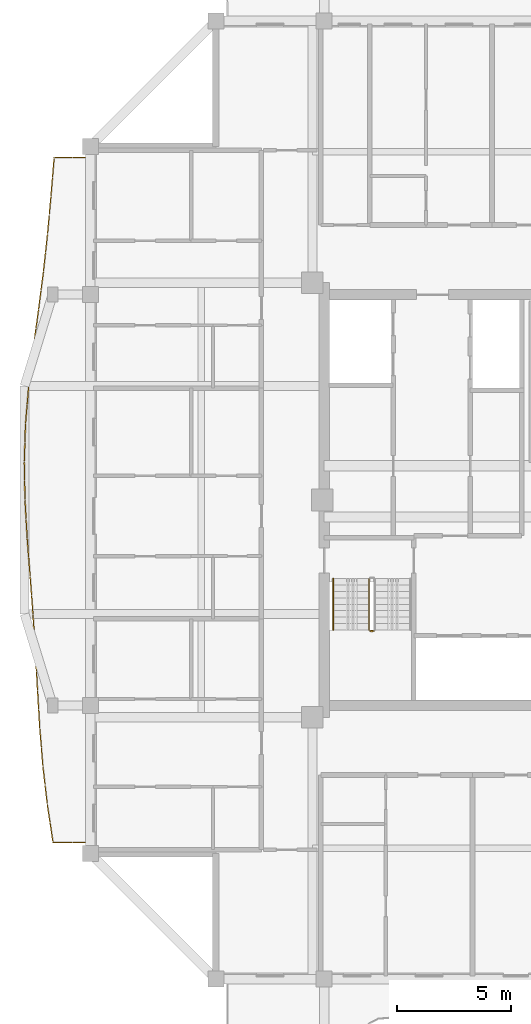
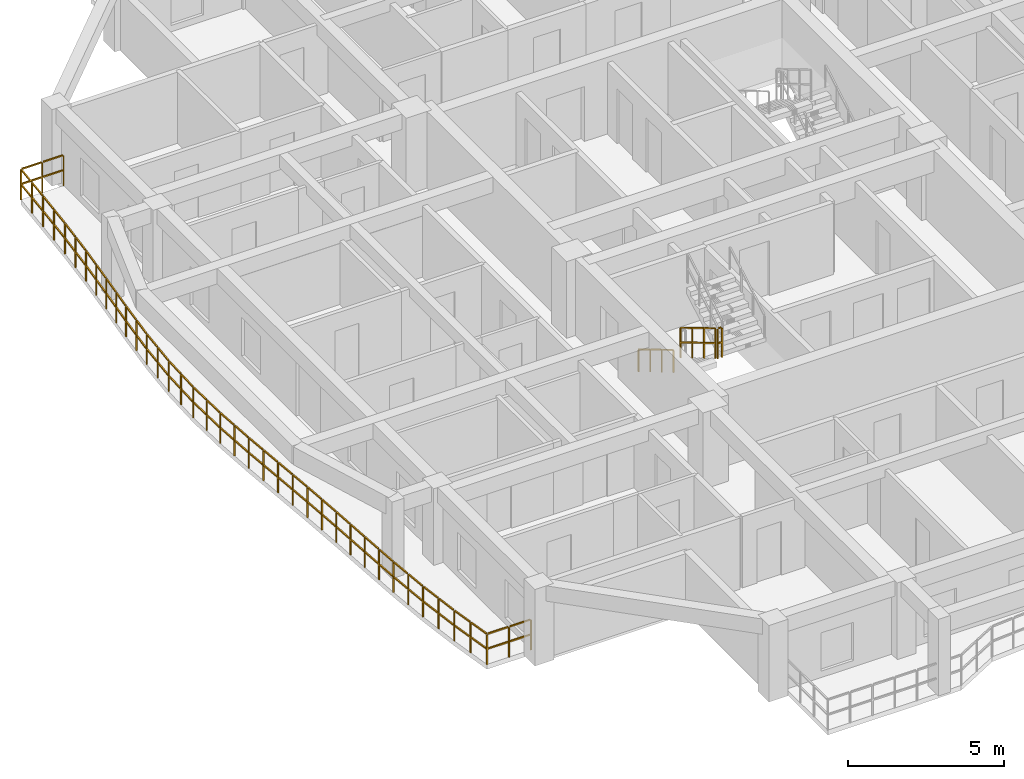
# One storey, part 10 of 13: 4 railings.
"""IFC4 building model written with IfcOpenShell, lengths in metres."""

from ifc_helpers import new_model, si_unit, direction, frame, origin, origin_2d, place, context, subcontext, project, spatial, rectangle, extrude, material, type_object, element, save


model = new_model("IFC4")

# Units and contexts
model_context = context("Model", 3, precision=1e-05, world=origin(), true_north=direction((0.0, 1.0)))
body_context = subcontext(model_context, "Body", "Model", "MODEL_VIEW")
ifc_project = project(units=[si_unit("LENGTHUNIT", "METRE"), si_unit("AREAUNIT", "SQUARE_METRE"), si_unit("VOLUMEUNIT", "CUBIC_METRE"), si_unit("PLANEANGLEUNIT", "RADIAN"), si_unit("MASSUNIT", "GRAM", prefix="KILO")], contexts=[model_context])

# Site, building, storey
site_placement = place(None, origin())
site = spatial("IfcSite", under=ifc_project, at=site_placement, CompositionType="ELEMENT")
building_placement = place(site_placement, origin())
building = spatial("IfcBuilding", under=site, at=building_placement, Name="Saelheon Loggia Tower", CompositionType="ELEMENT")
storey_placement = place(building_placement, frame((0.0, 0.0, 223.199951171875)))
storey = spatial("IfcBuildingStorey", under=building, at=storey_placement, Name="L69", CompositionType="ELEMENT", Elevation=223.199951171875)

# Railings
ifc_material_1 = material(Name="Architectural Precast Concrete and Laminated Glass Guard", Category="concrete")
railing_type_1 = type_object("IfcRailingType", Name="Guard_Loggia_RL_LOG", PredefinedType="BALUSTRADE", material=ifc_material_1)
railing_1_placement = place(storey_placement, frame((21.25, 42.0, 0.0)))
element("IfcRailing", 1, at=railing_1_placement, inside=storey, type_object=railing_type_1, Name="L69 West Loggia Balustrade", PredefinedType="BALUSTRADE", context=body_context, shape_type="SweptSolid", body=[
    extrude(rectangle(XDim=0.048095703125, YDim=0.048095703125, at=origin_2d()), frame((-0.033203125, 0.0, 1.19580078125), z_axis=(-1.0, 0.0, 0.0), x_axis=(0.0, -1.0, 0.0)), (0.0, 0.0, 1.0), 0.726318359375),
    extrude(rectangle(XDim=0.048095703125, YDim=0.048095703125, at=origin_2d()), frame((-0.033203125, 0.0, 0.60986328125), z_axis=(-1.0, 0.0, 0.0), x_axis=(0.0, -1.0, 0.0)), (0.0, 0.0, 1.0), 0.726318359375),
    extrude(rectangle(XDim=0.048095703125, YDim=0.048095703125, at=origin_2d()), frame((-0.826171875, 0.0, 1.19580078125), z_axis=(-1.0, 0.0, 0.0), x_axis=(0.0, -1.0, 0.0)), (0.0, 0.0, 1.0), 0.726318359375),
    extrude(rectangle(XDim=0.048095703125, YDim=0.048095703125, at=origin_2d()), frame((-0.826171875, 0.0, 0.60986328125), z_axis=(-1.0, 0.0, 0.0), x_axis=(0.0, -1.0, 0.0)), (0.0, 0.0, 1.0), 0.726318359375),
    extrude(rectangle(XDim=0.048095703125, YDim=0.048095703125, at=origin_2d()), frame((-1.58837890625, -0.033203125, 1.19580078125), z_axis=(-0.082622644176, -0.996580904227, 0.0), x_axis=(0.996580904227, -0.082622644176, 0.0)), (0.0, 0.0, 1.0), 0.769775390625),
    extrude(rectangle(XDim=0.048095703125, YDim=0.048095703125, at=origin_2d()), frame((-1.58837890625, -0.033203125, 0.60986328125), z_axis=(-0.082622644176, -0.996580904227, 0.0), x_axis=(0.996580904227, -0.082622644176, 0.0)), (0.0, 0.0, 1.0), 0.769775390625),
    extrude(rectangle(XDim=0.048095703125, YDim=0.048095703125, at=origin_2d()), frame((-1.657470703125, -0.866455078125, 1.19580078125), z_axis=(-0.082622644176, -0.996580904227, 0.0), x_axis=(0.996580904227, -0.082622644176, 0.0)), (0.0, 0.0, 1.0), 0.769775390625),
    extrude(rectangle(XDim=0.048095703125, YDim=0.048095703125, at=origin_2d()), frame((-1.657470703125, -0.866455078125, 0.60986328125), z_axis=(-0.082622644176, -0.996580904227, 0.0), x_axis=(0.996580904227, -0.082622644176, 0.0)), (0.0, 0.0, 1.0), 0.769775390625),
    extrude(rectangle(XDim=0.048095703125, YDim=0.048095703125, at=origin_2d()), frame((-1.726806640625, -1.699951171875, 1.19580078125), z_axis=(-0.089733224399, -0.995965836984, 0.0), x_axis=(0.995965836984, -0.089733224399, 0.0)), (0.0, 0.0, 1.0), 0.770263671875),
    extrude(rectangle(XDim=0.048095703125, YDim=0.048095703125, at=origin_2d()), frame((-1.726806640625, -1.699951171875, 0.60986328125), z_axis=(-0.089733224399, -0.995965836984, 0.0), x_axis=(0.995965836984, -0.089733224399, 0.0)), (0.0, 0.0, 1.0), 0.770263671875),
    extrude(rectangle(XDim=0.048095703125, YDim=0.048095703125, at=origin_2d()), frame((-1.802001953125, -2.533203125, 1.19580078125), z_axis=(-0.089733224399, -0.995965836984, 0.0), x_axis=(0.995965836984, -0.089733224399, 0.0)), (0.0, 0.0, 1.0), 0.770263671875),
    extrude(rectangle(XDim=0.048095703125, YDim=0.048095703125, at=origin_2d()), frame((-1.802001953125, -2.533203125, 0.60986328125), z_axis=(-0.089733224399, -0.995965836984, 0.0), x_axis=(0.995965836984, -0.089733224399, 0.0)), (0.0, 0.0, 1.0), 0.770263671875),
    extrude(rectangle(XDim=0.048095703125, YDim=0.048095703125, at=origin_2d()), frame((-1.877685546875, -3.3662109375, 1.19580078125), z_axis=(-0.108625418664, -0.9940827523, 0.0), x_axis=(0.9940827523, -0.108625418664, 0.0)), (0.0, 0.0, 1.0), 0.77197265625),
    extrude(rectangle(XDim=0.048095703125, YDim=0.048095703125, at=origin_2d()), frame((-1.877685546875, -3.3662109375, 0.60986328125), z_axis=(-0.108625418664, -0.9940827523, 0.0), x_axis=(0.9940827523, -0.108625418664, 0.0)), (0.0, 0.0, 1.0), 0.77197265625),
    extrude(rectangle(XDim=0.048095703125, YDim=0.048095703125, at=origin_2d()), frame((-1.96875, -4.19970703125, 1.19580078125), z_axis=(-0.108625418664, -0.9940827523, 0.0), x_axis=(0.9940827523, -0.108625418664, 0.0)), (0.0, 0.0, 1.0), 0.77197265625),
    extrude(rectangle(XDim=0.048095703125, YDim=0.048095703125, at=origin_2d()), frame((-1.96875, -4.19970703125, 0.60986328125), z_axis=(-0.108625418664, -0.9940827523, 0.0), x_axis=(0.9940827523, -0.108625418664, 0.0)), (0.0, 0.0, 1.0), 0.77197265625),
    extrude(rectangle(XDim=0.048095703125, YDim=0.048095703125, at=origin_2d()), frame((-2.060302734375, -5.032958984375, 1.19580078125), z_axis=(-0.127842269028, -0.991794512109, 0.0), x_axis=(0.991794512109, -0.127842269028, 0.0)), (0.0, 0.0, 1.0), 0.773681640625),
    extrude(rectangle(XDim=0.048095703125, YDim=0.048095703125, at=origin_2d()), frame((-2.060302734375, -5.032958984375, 0.60986328125), z_axis=(-0.127842269028, -0.991794512109, 0.0), x_axis=(0.991794512109, -0.127842269028, 0.0)), (0.0, 0.0, 1.0), 0.773681640625),
    extrude(rectangle(XDim=0.048095703125, YDim=0.048095703125, at=origin_2d()), frame((-2.167724609375, -5.866455078125, 1.19580078125), z_axis=(-0.127842269028, -0.991794512109, 0.0), x_axis=(0.991794512109, -0.127842269028, 0.0)), (0.0, 0.0, 1.0), 0.773681640625),
    extrude(rectangle(XDim=0.048095703125, YDim=0.048095703125, at=origin_2d()), frame((-2.167724609375, -5.866455078125, 0.60986328125), z_axis=(-0.127842269028, -0.991794512109, 0.0), x_axis=(0.991794512109, -0.127842269028, 0.0)), (0.0, 0.0, 1.0), 0.773681640625),
    extrude(rectangle(XDim=0.048095703125, YDim=0.048095703125, at=origin_2d()), frame((-2.275390625, -6.69970703125, 1.19580078125), z_axis=(-0.134426490543, -0.990923568516, 0.0), x_axis=(0.990923568516, -0.134426490543, 0.0)), (0.0, 0.0, 1.0), 0.7744140625),
    extrude(rectangle(XDim=0.048095703125, YDim=0.048095703125, at=origin_2d()), frame((-2.275390625, -6.69970703125, 0.60986328125), z_axis=(-0.134426490543, -0.990923568516, 0.0), x_axis=(0.990923568516, -0.134426490543, 0.0)), (0.0, 0.0, 1.0), 0.7744140625),
    extrude(rectangle(XDim=0.048095703125, YDim=0.048095703125, at=origin_2d()), frame((-2.388427734375, -7.532958984375, 1.19580078125), z_axis=(-0.134426490543, -0.990923568516, 0.0), x_axis=(0.990923568516, -0.134426490543, 0.0)), (0.0, 0.0, 1.0), 0.7744140625),
    extrude(rectangle(XDim=0.048095703125, YDim=0.048095703125, at=origin_2d()), frame((-2.388427734375, -7.532958984375, 0.60986328125), z_axis=(-0.134426490543, -0.990923568516, 0.0), x_axis=(0.990923568516, -0.134426490543, 0.0)), (0.0, 0.0, 1.0), 0.7744140625),
    extrude(rectangle(XDim=0.048095703125, YDim=0.048095703125, at=origin_2d()), frame((-2.5009765625, -8.3662109375, 1.19580078125), z_axis=(-0.120114226524, -0.992760078058, 0.0), x_axis=(0.992760078058, -0.120114226524, 0.0)), (0.0, 0.0, 1.0), 0.77294921875),
    extrude(rectangle(XDim=0.048095703125, YDim=0.048095703125, at=origin_2d()), frame((-2.5009765625, -8.3662109375, 0.60986328125), z_axis=(-0.120114226524, -0.992760078058, 0.0), x_axis=(0.992760078058, -0.120114226524, 0.0)), (0.0, 0.0, 1.0), 0.77294921875),
    extrude(rectangle(XDim=0.048095703125, YDim=0.048095703125, at=origin_2d()), frame((-2.601806640625, -9.19970703125, 1.19580078125), z_axis=(-0.120114226524, -0.992760078058, 0.0), x_axis=(0.992760078058, -0.120114226524, 0.0)), (0.0, 0.0, 1.0), 0.77294921875),
    extrude(rectangle(XDim=0.048095703125, YDim=0.048095703125, at=origin_2d()), frame((-2.601806640625, -9.19970703125, 0.60986328125), z_axis=(-0.120114226524, -0.992760078058, 0.0), x_axis=(0.992760078058, -0.120114226524, 0.0)), (0.0, 0.0, 1.0), 0.77294921875),
    extrude(rectangle(XDim=0.048095703125, YDim=0.048095703125, at=origin_2d()), frame((-2.701416015625, -10.033203125, 1.19580078125), z_axis=(-0.083637374408, -0.996496256692, 0.0), x_axis=(0.996496256692, -0.083637374408, 0.0)), (0.0, 0.0, 1.0), 0.769775390625),
    extrude(rectangle(XDim=0.048095703125, YDim=0.048095703125, at=origin_2d()), frame((-2.701416015625, -10.033203125, 0.60986328125), z_axis=(-0.083637374408, -0.996496256692, 0.0), x_axis=(0.996496256692, -0.083637374408, 0.0)), (0.0, 0.0, 1.0), 0.769775390625),
    extrude(rectangle(XDim=0.048095703125, YDim=0.048095703125, at=origin_2d()), frame((-2.771484375, -10.866455078125, 1.19580078125), z_axis=(-0.083637374408, -0.996496256692, 0.0), x_axis=(0.996496256692, -0.083637374408, 0.0)), (0.0, 0.0, 1.0), 0.769775390625),
    extrude(rectangle(XDim=0.048095703125, YDim=0.048095703125, at=origin_2d()), frame((-2.771484375, -10.866455078125, 0.60986328125), z_axis=(-0.083637374408, -0.996496256692, 0.0), x_axis=(0.996496256692, -0.083637374408, 0.0)), (0.0, 0.0, 1.0), 0.769775390625),
    extrude(rectangle(XDim=0.048095703125, YDim=0.048095703125, at=origin_2d()), frame((-2.839599609375, -11.699951171875, 1.19580078125), z_axis=(-0.032944311089, -0.999457188861, 0.0), x_axis=(0.999457188861, -0.032944311089, 0.0)), (0.0, 0.0, 1.0), 0.767333984375),
    extrude(rectangle(XDim=0.048095703125, YDim=0.048095703125, at=origin_2d()), frame((-2.839599609375, -11.699951171875, 0.60986328125), z_axis=(-0.032944311089, -0.999457188861, 0.0), x_axis=(0.999457188861, -0.032944311089, 0.0)), (0.0, 0.0, 1.0), 0.767333984375),
    extrude(rectangle(XDim=0.048095703125, YDim=0.048095703125, at=origin_2d()), frame((-2.8671875, -12.533203125, 1.19580078125), z_axis=(-0.032944311089, -0.999457188861, 0.0), x_axis=(0.999457188861, -0.032944311089, 0.0)), (0.0, 0.0, 1.0), 0.767333984375),
    extrude(rectangle(XDim=0.048095703125, YDim=0.048095703125, at=origin_2d()), frame((-2.8671875, -12.533203125, 0.60986328125), z_axis=(-0.032944311089, -0.999457188861, 0.0), x_axis=(0.999457188861, -0.032944311089, 0.0)), (0.0, 0.0, 1.0), 0.767333984375),
    extrude(rectangle(XDim=0.048095703125, YDim=0.048095703125, at=origin_2d()), frame((-2.892822265625, -13.366455078125, 1.19580078125), z_axis=(0.018892189386, -0.999821526664, 0.0), x_axis=(0.999821526664, 0.018892189386, 0.0)), (0.0, 0.0, 1.0), 0.76708984375),
    extrude(rectangle(XDim=0.048095703125, YDim=0.048095703125, at=origin_2d()), frame((-2.892822265625, -13.366455078125, 0.60986328125), z_axis=(0.018892189386, -0.999821526664, 0.0), x_axis=(0.999821526664, 0.018892189386, 0.0)), (0.0, 0.0, 1.0), 0.76708984375),
    extrude(rectangle(XDim=0.048095703125, YDim=0.048095703125, at=origin_2d()), frame((-2.877197265625, -14.199951171875, 1.19580078125), z_axis=(0.018892189386, -0.999821526664, 0.0), x_axis=(0.999821526664, 0.018892189386, 0.0)), (0.0, 0.0, 1.0), 0.76708984375),
    extrude(rectangle(XDim=0.048095703125, YDim=0.048095703125, at=origin_2d()), frame((-2.877197265625, -14.199951171875, 0.60986328125), z_axis=(0.018892189386, -0.999821526664, 0.0), x_axis=(0.999821526664, 0.018892189386, 0.0)), (0.0, 0.0, 1.0), 0.76708984375),
    extrude(rectangle(XDim=0.048095703125, YDim=0.048095703125, at=origin_2d()), frame((-2.860107421875, -15.033203125, 1.19580078125), z_axis=(0.057761901726, -0.998330387552, 0.0), x_axis=(0.998330387552, 0.057761901726, 0.0)), (0.0, 0.0, 1.0), 0.768310546875),
    extrude(rectangle(XDim=0.048095703125, YDim=0.048095703125, at=origin_2d()), frame((-2.860107421875, -15.033203125, 0.60986328125), z_axis=(0.057761901726, -0.998330387552, 0.0), x_axis=(0.998330387552, 0.057761901726, 0.0)), (0.0, 0.0, 1.0), 0.768310546875),
    extrude(rectangle(XDim=0.048095703125, YDim=0.048095703125, at=origin_2d()), frame((-2.81201171875, -15.866455078125, 1.19580078125), z_axis=(0.057761901726, -0.998330387552, 0.0), x_axis=(0.998330387552, 0.057761901726, 0.0)), (0.0, 0.0, 1.0), 0.768310546875),
    extrude(rectangle(XDim=0.048095703125, YDim=0.048095703125, at=origin_2d()), frame((-2.81201171875, -15.866455078125, 0.60986328125), z_axis=(0.057761901726, -0.998330387552, 0.0), x_axis=(0.998330387552, 0.057761901726, 0.0)), (0.0, 0.0, 1.0), 0.768310546875),
    extrude(rectangle(XDim=0.048095703125, YDim=0.048095703125, at=origin_2d()), frame((-2.76318359375, -16.699951171875, 1.19580078125), z_axis=(0.075959226601, -0.997110924569, 0.0), x_axis=(0.997110924569, 0.075959226601, 0.0)), (0.0, 0.0, 1.0), 0.769287109375),
    extrude(rectangle(XDim=0.048095703125, YDim=0.048095703125, at=origin_2d()), frame((-2.76318359375, -16.699951171875, 0.60986328125), z_axis=(0.075959226601, -0.997110924569, 0.0), x_axis=(0.997110924569, 0.075959226601, 0.0)), (0.0, 0.0, 1.0), 0.769287109375),
    extrude(rectangle(XDim=0.048095703125, YDim=0.048095703125, at=origin_2d()), frame((-2.69970703125, -17.533203125, 1.19580078125), z_axis=(0.075959226601, -0.997110924569, 0.0), x_axis=(0.997110924569, 0.075959226601, 0.0)), (0.0, 0.0, 1.0), 0.769287109375),
    extrude(rectangle(XDim=0.048095703125, YDim=0.048095703125, at=origin_2d()), frame((-2.69970703125, -17.533203125, 0.60986328125), z_axis=(0.075959226601, -0.997110924569, 0.0), x_axis=(0.997110924569, 0.075959226601, 0.0)), (0.0, 0.0, 1.0), 0.769287109375),
    extrude(rectangle(XDim=0.048095703125, YDim=0.048095703125, at=origin_2d()), frame((-2.63623046875, -18.366455078125, 1.19580078125), z_axis=(0.075076807606, -0.997177753943, 0.0), x_axis=(0.997177753943, 0.075076807606, 0.0)), (0.0, 0.0, 1.0), 0.769287109375),
    extrude(rectangle(XDim=0.048095703125, YDim=0.048095703125, at=origin_2d()), frame((-2.63623046875, -18.366455078125, 0.60986328125), z_axis=(0.075076807606, -0.997177753943, 0.0), x_axis=(0.997177753943, 0.075076807606, 0.0)), (0.0, 0.0, 1.0), 0.769287109375),
    extrude(rectangle(XDim=0.048095703125, YDim=0.048095703125, at=origin_2d()), frame((-2.573486328125, -19.19970703125, 1.19580078125), z_axis=(0.075076807606, -0.997177753943, 0.0), x_axis=(0.997177753943, 0.075076807606, 0.0)), (0.0, 0.0, 1.0), 0.769287109375),
    extrude(rectangle(XDim=0.048095703125, YDim=0.048095703125, at=origin_2d()), frame((-2.573486328125, -19.19970703125, 0.60986328125), z_axis=(0.075076807606, -0.997177753943, 0.0), x_axis=(0.997177753943, 0.075076807606, 0.0)), (0.0, 0.0, 1.0), 0.769287109375),
    extrude(rectangle(XDim=0.048095703125, YDim=0.048095703125, at=origin_2d()), frame((-2.510986328125, -20.033203125, 1.19580078125), z_axis=(0.063879811167, -0.997957599162, 0.0), x_axis=(0.997957599162, 0.063879811167, 0.0)), (0.0, 0.0, 1.0), 0.7685546875),
    extrude(rectangle(XDim=0.048095703125, YDim=0.048095703125, at=origin_2d()), frame((-2.510986328125, -20.033203125, 0.60986328125), z_axis=(0.063879811167, -0.997957599162, 0.0), x_axis=(0.997957599162, 0.063879811167, 0.0)), (0.0, 0.0, 1.0), 0.7685546875),
    extrude(rectangle(XDim=0.048095703125, YDim=0.048095703125, at=origin_2d()), frame((-2.457763671875, -20.866455078125, 1.19580078125), z_axis=(0.063879811167, -0.997957599162, 0.0), x_axis=(0.997957599162, 0.063879811167, 0.0)), (0.0, 0.0, 1.0), 0.7685546875),
    extrude(rectangle(XDim=0.048095703125, YDim=0.048095703125, at=origin_2d()), frame((-2.457763671875, -20.866455078125, 0.60986328125), z_axis=(0.063879811167, -0.997957599162, 0.0), x_axis=(0.997957599162, 0.063879811167, 0.0)), (0.0, 0.0, 1.0), 0.7685546875),
    extrude(rectangle(XDim=0.048095703125, YDim=0.048095703125, at=origin_2d()), frame((-2.40478515625, -21.699951171875, 1.19580078125), z_axis=(0.055000126962, -0.998486347445, 0.0), x_axis=(0.998486347445, 0.055000126962, 0.0)), (0.0, 0.0, 1.0), 0.76806640625),
    extrude(rectangle(XDim=0.048095703125, YDim=0.048095703125, at=origin_2d()), frame((-2.40478515625, -21.699951171875, 0.60986328125), z_axis=(0.055000126962, -0.998486347445, 0.0), x_axis=(0.998486347445, 0.055000126962, 0.0)), (0.0, 0.0, 1.0), 0.76806640625),
    extrude(rectangle(XDim=0.048095703125, YDim=0.048095703125, at=origin_2d()), frame((-2.35888671875, -22.533203125, 1.19580078125), z_axis=(0.055000126962, -0.998486347445, 0.0), x_axis=(0.998486347445, 0.055000126962, 0.0)), (0.0, 0.0, 1.0), 0.76806640625),
    extrude(rectangle(XDim=0.048095703125, YDim=0.048095703125, at=origin_2d()), frame((-2.35888671875, -22.533203125, 0.60986328125), z_axis=(0.055000126962, -0.998486347445, 0.0), x_axis=(0.998486347445, 0.055000126962, 0.0)), (0.0, 0.0, 1.0), 0.76806640625),
    extrude(rectangle(XDim=0.048095703125, YDim=0.048095703125, at=origin_2d()), frame((-2.312744140625, -23.366455078125, 1.19580078125), z_axis=(0.059510570368, -0.99822767544, 0.0), x_axis=(0.99822767544, 0.059510570368, 0.0)), (0.0, 0.0, 1.0), 0.768310546875),
    extrude(rectangle(XDim=0.048095703125, YDim=0.048095703125, at=origin_2d()), frame((-2.312744140625, -23.366455078125, 0.60986328125), z_axis=(0.059510570368, -0.99822767544, 0.0), x_axis=(0.99822767544, 0.059510570368, 0.0)), (0.0, 0.0, 1.0), 0.768310546875),
    extrude(rectangle(XDim=0.048095703125, YDim=0.048095703125, at=origin_2d()), frame((-2.262939453125, -24.19970703125, 1.19580078125), z_axis=(0.059510570368, -0.99822767544, 0.0), x_axis=(0.99822767544, 0.059510570368, 0.0)), (0.0, 0.0, 1.0), 0.768310546875),
    extrude(rectangle(XDim=0.048095703125, YDim=0.048095703125, at=origin_2d()), frame((-2.262939453125, -24.19970703125, 0.60986328125), z_axis=(0.059510570368, -0.99822767544, 0.0), x_axis=(0.99822767544, 0.059510570368, 0.0)), (0.0, 0.0, 1.0), 0.768310546875),
    extrude(rectangle(XDim=0.048095703125, YDim=0.048095703125, at=origin_2d()), frame((-2.212646484375, -25.033203125, 1.19580078125), z_axis=(0.081317613755, -0.996688238966, 0.0), x_axis=(0.996688238966, 0.081317613755, 0.0)), (0.0, 0.0, 1.0), 0.769775390625),
    extrude(rectangle(XDim=0.048095703125, YDim=0.048095703125, at=origin_2d()), frame((-2.212646484375, -25.033203125, 0.60986328125), z_axis=(0.081317613755, -0.996688238966, 0.0), x_axis=(0.996688238966, 0.081317613755, 0.0)), (0.0, 0.0, 1.0), 0.769775390625),
    extrude(rectangle(XDim=0.048095703125, YDim=0.048095703125, at=origin_2d()), frame((-2.14453125, -25.866455078125, 1.19580078125), z_axis=(0.081317613755, -0.996688238966, 0.0), x_axis=(0.996688238966, 0.081317613755, 0.0)), (0.0, 0.0, 1.0), 0.769775390625),
    extrude(rectangle(XDim=0.048095703125, YDim=0.048095703125, at=origin_2d()), frame((-2.14453125, -25.866455078125, 0.60986328125), z_axis=(0.081317613755, -0.996688238966, 0.0), x_axis=(0.996688238966, 0.081317613755, 0.0)), (0.0, 0.0, 1.0), 0.769775390625),
    extrude(rectangle(XDim=0.048095703125, YDim=0.048095703125, at=origin_2d()), frame((-2.075439453125, -26.69970703125, 1.19580078125), z_axis=(0.115110168559, -0.993352731458, 0.0), x_axis=(0.993352731458, 0.115110168559, 0.0)), (0.0, 0.0, 1.0), 0.7724609375),
    extrude(rectangle(XDim=0.048095703125, YDim=0.048095703125, at=origin_2d()), frame((-2.075439453125, -26.69970703125, 0.60986328125), z_axis=(0.115110168559, -0.993352731458, 0.0), x_axis=(0.993352731458, 0.115110168559, 0.0)), (0.0, 0.0, 1.0), 0.7724609375),
    extrude(rectangle(XDim=0.048095703125, YDim=0.048095703125, at=origin_2d()), frame((-1.97900390625, -27.532958984375, 1.19580078125), z_axis=(0.115110168559, -0.993352731458, 0.0), x_axis=(0.993352731458, 0.115110168559, 0.0)), (0.0, 0.0, 1.0), 0.7724609375),
    extrude(rectangle(XDim=0.048095703125, YDim=0.048095703125, at=origin_2d()), frame((-1.97900390625, -27.532958984375, 0.60986328125), z_axis=(0.115110168559, -0.993352731458, 0.0), x_axis=(0.993352731458, 0.115110168559, 0.0)), (0.0, 0.0, 1.0), 0.7724609375),
    extrude(rectangle(XDim=0.048095703125, YDim=0.048095703125, at=origin_2d()), frame((-1.88134765625, -28.3662109375, 1.19580078125), z_axis=(0.149041602908, -0.988830926196, 0.0), x_axis=(0.988830926196, 0.149041602908, 0.0)), (0.0, 0.0, 1.0), 0.7763671875),
    extrude(rectangle(XDim=0.048095703125, YDim=0.048095703125, at=origin_2d()), frame((-1.88134765625, -28.3662109375, 0.60986328125), z_axis=(0.149041602908, -0.988830926196, 0.0), x_axis=(0.988830926196, 0.149041602908, 0.0)), (0.0, 0.0, 1.0), 0.7763671875),
    extrude(rectangle(XDim=0.048095703125, YDim=0.048095703125, at=origin_2d()), frame((-1.755615234375, -29.199462890625, 1.19580078125), z_axis=(0.149041602908, -0.988830926196, 0.0), x_axis=(0.988830926196, 0.149041602908, 0.0)), (0.0, 0.0, 1.0), 0.7763671875),
    extrude(rectangle(XDim=0.048095703125, YDim=0.048095703125, at=origin_2d()), frame((-1.755615234375, -29.199462890625, 0.60986328125), z_axis=(0.149041602908, -0.988830926196, 0.0), x_axis=(0.988830926196, 0.149041602908, 0.0)), (0.0, 0.0, 1.0), 0.7763671875),
    extrude(rectangle(XDim=0.048095703125, YDim=0.048095703125, at=origin_2d()), frame((-1.601806640625, -30.0, 1.19580078125), z_axis=(1.0, 0.0, 0.0), x_axis=(0.0, 1.0, 0.0)), (0.0, 0.0, 1.0), 0.7509765625),
    extrude(rectangle(XDim=0.048095703125, YDim=0.048095703125, at=origin_2d()), frame((-1.601806640625, -30.0, 0.60986328125), z_axis=(1.0, 0.0, 0.0), x_axis=(0.0, 1.0, 0.0)), (0.0, 0.0, 1.0), 0.7509765625),
    extrude(rectangle(XDim=0.048095703125, YDim=0.048095703125, at=origin_2d()), frame((-0.7841796875, -30.0, 1.19580078125), z_axis=(1.0, 0.0, 0.0), x_axis=(0.0, 1.0, 0.0)), (0.0, 0.0, 1.0), 0.7509765625),
    extrude(rectangle(XDim=0.048095703125, YDim=0.048095703125, at=origin_2d()), frame((-0.7841796875, -30.0, 0.60986328125), z_axis=(1.0, 0.0, 0.0), x_axis=(0.0, 1.0, 0.0)), (0.0, 0.0, 1.0), 0.7509765625),
    extrude(rectangle(XDim=0.0419921875, YDim=0.0419921875, at=origin_2d()), origin(), (0.0, 0.0, 1.0), 1.16796875),
    extrude(rectangle(XDim=0.0419921875, YDim=0.0419921875, at=origin_2d()), frame((-0.79296875, 0.0, 0.0)), (0.0, 0.0, 1.0), 1.16796875),
    extrude(rectangle(XDim=0.0419921875, YDim=0.0419921875, at=origin_2d()), frame((-1.585693359375, 0.0, 0.0)), (0.0, 0.0, 1.0), 1.16796875),
    extrude(rectangle(XDim=0.0419921875, YDim=0.0419921875, at=origin_2d()), frame((-1.65478515625, -0.83349609375, 0.0)), (0.0, 0.0, 1.0), 1.16796875),
    extrude(rectangle(XDim=0.0419921875, YDim=0.0419921875, at=origin_2d()), frame((-1.723876953125, -1.666748046875, 0.0)), (0.0, 0.0, 1.0), 1.16796875),
    extrude(rectangle(XDim=0.0419921875, YDim=0.0419921875, at=origin_2d()), frame((-1.798828125, -2.5, 0.0)), (0.0, 0.0, 1.0), 1.16796875),
    extrude(rectangle(XDim=0.0419921875, YDim=0.0419921875, at=origin_2d()), frame((-1.8740234375, -3.333251953125, 0.0)), (0.0, 0.0, 1.0), 1.16796875),
    extrude(rectangle(XDim=0.0419921875, YDim=0.0419921875, at=origin_2d()), frame((-1.965087890625, -4.16650390625, 0.0)), (0.0, 0.0, 1.0), 1.16796875),
    extrude(rectangle(XDim=0.0419921875, YDim=0.0419921875, at=origin_2d()), frame((-2.05615234375, -5.0, 0.0)), (0.0, 0.0, 1.0), 1.16796875),
    extrude(rectangle(XDim=0.0419921875, YDim=0.0419921875, at=origin_2d()), frame((-2.16357421875, -5.83349609375, 0.0)), (0.0, 0.0, 1.0), 1.16796875),
    extrude(rectangle(XDim=0.0419921875, YDim=0.0419921875, at=origin_2d()), frame((-2.27099609375, -6.666748046875, 0.0)), (0.0, 0.0, 1.0), 1.16796875),
    extrude(rectangle(XDim=0.0419921875, YDim=0.0419921875, at=origin_2d()), frame((-2.384033203125, -7.5, 0.0)), (0.0, 0.0, 1.0), 1.16796875),
    extrude(rectangle(XDim=0.0419921875, YDim=0.0419921875, at=origin_2d()), frame((-2.4970703125, -8.333251953125, 0.0)), (0.0, 0.0, 1.0), 1.16796875),
    extrude(rectangle(XDim=0.0419921875, YDim=0.0419921875, at=origin_2d()), frame((-2.597900390625, -9.16650390625, 0.0)), (0.0, 0.0, 1.0), 1.16796875),
    extrude(rectangle(XDim=0.0419921875, YDim=0.0419921875, at=origin_2d()), frame((-2.69873046875, -10.0, 0.0)), (0.0, 0.0, 1.0), 1.16796875),
    extrude(rectangle(XDim=0.0419921875, YDim=0.0419921875, at=origin_2d()), frame((-2.7685546875, -10.83349609375, 0.0)), (0.0, 0.0, 1.0), 1.16796875),
    extrude(rectangle(XDim=0.0419921875, YDim=0.0419921875, at=origin_2d()), frame((-2.838623046875, -11.666748046875, 0.0)), (0.0, 0.0, 1.0), 1.16796875),
    extrude(rectangle(XDim=0.0419921875, YDim=0.0419921875, at=origin_2d()), frame((-2.8662109375, -12.5, 0.0)), (0.0, 0.0, 1.0), 1.16796875),
    extrude(rectangle(XDim=0.0419921875, YDim=0.0419921875, at=origin_2d()), frame((-2.8935546875, -13.333251953125, 0.0)), (0.0, 0.0, 1.0), 1.16796875),
    extrude(rectangle(XDim=0.0419921875, YDim=0.0419921875, at=origin_2d()), frame((-2.8779296875, -14.16650390625, 0.0)), (0.0, 0.0, 1.0), 1.16796875),
    extrude(rectangle(XDim=0.0419921875, YDim=0.0419921875, at=origin_2d()), frame((-2.862060546875, -15.0, 0.0)), (0.0, 0.0, 1.0), 1.16796875),
    extrude(rectangle(XDim=0.0419921875, YDim=0.0419921875, at=origin_2d()), frame((-2.81396484375, -15.83349609375, 0.0)), (0.0, 0.0, 1.0), 1.16796875),
    extrude(rectangle(XDim=0.0419921875, YDim=0.0419921875, at=origin_2d()), frame((-2.765625, -16.666748046875, 0.0)), (0.0, 0.0, 1.0), 1.16796875),
    extrude(rectangle(XDim=0.0419921875, YDim=0.0419921875, at=origin_2d()), frame((-2.7021484375, -17.5, 0.0)), (0.0, 0.0, 1.0), 1.16796875),
    extrude(rectangle(XDim=0.0419921875, YDim=0.0419921875, at=origin_2d()), frame((-2.638671875, -18.333251953125, 0.0)), (0.0, 0.0, 1.0), 1.16796875),
    extrude(rectangle(XDim=0.0419921875, YDim=0.0419921875, at=origin_2d()), frame((-2.575927734375, -19.16650390625, 0.0)), (0.0, 0.0, 1.0), 1.16796875),
    extrude(rectangle(XDim=0.0419921875, YDim=0.0419921875, at=origin_2d()), frame((-2.51318359375, -20.0, 0.0)), (0.0, 0.0, 1.0), 1.16796875),
    extrude(rectangle(XDim=0.0419921875, YDim=0.0419921875, at=origin_2d()), frame((-2.4599609375, -20.83349609375, 0.0)), (0.0, 0.0, 1.0), 1.16796875),
    extrude(rectangle(XDim=0.0419921875, YDim=0.0419921875, at=origin_2d()), frame((-2.406494140625, -21.666748046875, 0.0)), (0.0, 0.0, 1.0), 1.16796875),
    extrude(rectangle(XDim=0.0419921875, YDim=0.0419921875, at=origin_2d()), frame((-2.360595703125, -22.5, 0.0)), (0.0, 0.0, 1.0), 1.16796875),
    extrude(rectangle(XDim=0.0419921875, YDim=0.0419921875, at=origin_2d()), frame((-2.314697265625, -23.333251953125, 0.0)), (0.0, 0.0, 1.0), 1.16796875),
    extrude(rectangle(XDim=0.0419921875, YDim=0.0419921875, at=origin_2d()), frame((-2.26513671875, -24.16650390625, 0.0)), (0.0, 0.0, 1.0), 1.16796875),
    extrude(rectangle(XDim=0.0419921875, YDim=0.0419921875, at=origin_2d()), frame((-2.21533203125, -25.0, 0.0)), (0.0, 0.0, 1.0), 1.16796875),
    extrude(rectangle(XDim=0.0419921875, YDim=0.0419921875, at=origin_2d()), frame((-2.1474609375, -25.83349609375, 0.0)), (0.0, 0.0, 1.0), 1.16796875),
    extrude(rectangle(XDim=0.0419921875, YDim=0.0419921875, at=origin_2d()), frame((-2.079345703125, -26.666748046875, 0.0)), (0.0, 0.0, 1.0), 1.16796875),
    extrude(rectangle(XDim=0.0419921875, YDim=0.0419921875, at=origin_2d()), frame((-1.98291015625, -27.5, 0.0)), (0.0, 0.0, 1.0), 1.16796875),
    extrude(rectangle(XDim=0.0419921875, YDim=0.0419921875, at=origin_2d()), frame((-1.88623046875, -28.333251953125, 0.0)), (0.0, 0.0, 1.0), 1.16796875),
    extrude(rectangle(XDim=0.0419921875, YDim=0.0419921875, at=origin_2d()), frame((-1.7607421875, -29.16650390625, 0.0)), (0.0, 0.0, 1.0), 1.16796875),
    extrude(rectangle(XDim=0.0419921875, YDim=0.0419921875, at=origin_2d()), frame((-1.635009765625, -30.0, 0.0)), (0.0, 0.0, 1.0), 1.16796875),
    extrude(rectangle(XDim=0.0419921875, YDim=0.0419921875, at=origin_2d()), frame((-0.8173828125, -30.0, 0.0)), (0.0, 0.0, 1.0), 1.16796875),
    extrude(rectangle(XDim=0.0419921875, YDim=0.0419921875, at=origin_2d()), frame((0.0, -30.0, 0.0)), (0.0, 0.0, 1.0), 1.16796875),
])
ifc_material_2 = material(Name="Galvanised Steel S275 Stairwell Guardrail", Category="steel")
railing_type_2 = type_object("IfcRailingType", Name="Guard_StairWell_RL_STG", PredefinedType="GUARDRAIL", material=ifc_material_2)
railing_2_placement = place(storey_placement, frame((33.4599609375, 23.550048828125, 0.166748046875)))
element("IfcRailing", 2, at=railing_2_placement, inside=storey, type_object=railing_type_2, Name="L69 ST1 stair guard 1", PredefinedType="GUARDRAIL", context=body_context, shape_type="SweptSolid", body=[
    extrude(rectangle(XDim=0.048095703125, YDim=0.048095703125, at=origin_2d()), frame((0.0, -0.028564453125, 1.19287109375), z_axis=(0.0, -0.859305625298, 0.511462454469), x_axis=(1.0, 0.0, 0.0)), (0.0, 0.0, 1.0), 0.802490234375),
    extrude(rectangle(XDim=0.048095703125, YDim=0.048095703125, at=origin_2d()), frame((0.0, -0.028564453125, 0.616943359375), z_axis=(0.0, -0.859305625298, 0.511462454469), x_axis=(1.0, 0.0, 0.0)), (0.0, 0.0, 1.0), 0.802490234375),
    extrude(rectangle(XDim=0.048095703125, YDim=0.048095703125, at=origin_2d()), frame((0.0, -0.775146484375, 1.63720703125), z_axis=(0.0, -0.859305625298, 0.511462454469), x_axis=(1.0, 0.0, 0.0)), (0.0, 0.0, 1.0), 0.802490234375),
    extrude(rectangle(XDim=0.048095703125, YDim=0.048095703125, at=origin_2d()), frame((0.0, -0.775146484375, 1.061279296875), z_axis=(0.0, -0.859305625298, 0.511462454469), x_axis=(1.0, 0.0, 0.0)), (0.0, 0.0, 1.0), 0.802490234375),
    extrude(rectangle(XDim=0.048095703125, YDim=0.048095703125, at=origin_2d()), frame((0.0, -1.52197265625, 2.081787109375), z_axis=(0.0, -0.859305625298, 0.511462454469), x_axis=(1.0, 0.0, 0.0)), (0.0, 0.0, 1.0), 0.802490234375),
    extrude(rectangle(XDim=0.048095703125, YDim=0.048095703125, at=origin_2d()), frame((0.0, -1.52197265625, 1.505859375), z_axis=(0.0, -0.859305625298, 0.511462454469), x_axis=(1.0, 0.0, 0.0)), (0.0, 0.0, 1.0), 0.802490234375),
    extrude(rectangle(XDim=0.0419921875, YDim=0.0419921875, at=origin_2d()), origin(), (0.0, 0.0, 1.0), 1.14794921875),
    extrude(rectangle(XDim=0.0419921875, YDim=0.0419921875, at=origin_2d()), frame((0.0, -0.74658203125, 0.4443359375)), (0.0, 0.0, 1.0), 1.14794921875),
    extrude(rectangle(XDim=0.0419921875, YDim=0.0419921875, at=origin_2d()), frame((0.0, -1.493408203125, 0.888916015625)), (0.0, 0.0, 1.0), 1.14794921875),
    extrude(rectangle(XDim=0.0419921875, YDim=0.0419921875, at=origin_2d()), frame((0.0, -2.239990234375, 1.333251953125)), (0.0, 0.0, 1.0), 1.14794921875),
])
railing_3_placement = place(storey_placement, frame((33.510009765625, 21.260009765625, 1.5)))
element("IfcRailing", 3, at=railing_3_placement, inside=storey, type_object=railing_type_2, Name="L69 ST1 stair guard 2", PredefinedType="GUARDRAIL", context=body_context, shape_type="SweptSolid", body=[
    extrude(rectangle(XDim=0.048095703125, YDim=0.048095703125, at=origin_2d()), frame((0.033203125, 0.0, 1.17578125), z_axis=(1.0, 0.0, 0.0), x_axis=(0.0, 1.0, 0.0)), (0.0, 0.0, 1.0), 0.093505859375),
    extrude(rectangle(XDim=0.048095703125, YDim=0.048095703125, at=origin_2d()), frame((0.033203125, 0.0, 0.60009765625), z_axis=(1.0, 0.0, 0.0), x_axis=(0.0, 1.0, 0.0)), (0.0, 0.0, 1.0), 0.093505859375),
    extrude(rectangle(XDim=0.0419921875, YDim=0.0419921875, at=origin_2d()), origin(), (0.0, 0.0, 1.0), 1.14794921875),
    extrude(rectangle(XDim=0.0419921875, YDim=0.0419921875, at=origin_2d()), frame((0.159912109375, 0.0, 0.0)), (0.0, 0.0, 1.0), 1.14794921875),
])
ifc_material_3 = material(Name="Stainless Steel 304 Tubular Handrail", Category="steel")
railing_type_3 = type_object("IfcRailingType", Name="Handrail_Stair_RL_HR1", PredefinedType="HANDRAIL", material=ifc_material_3)
railing_4_placement = place(storey_placement, frame((31.89990234375, 23.550048828125, 0.166748046875)))
element("IfcRailing", 4, at=railing_4_placement, inside=storey, type_object=railing_type_3, Name="L69 ST1 stair handrail 1", PredefinedType="HANDRAIL", context=body_context, shape_type="SweptSolid", body=[
    extrude(rectangle(XDim=0.048095703125, YDim=0.048095703125, at=origin_2d()), frame((0.0, -0.028564453125, 0.892822265625), z_axis=(0.0, -0.859305625298, 0.511462454469), x_axis=(1.0, 0.0, 0.0)), (0.0, 0.0, 1.0), 0.802490234375),
    extrude(rectangle(XDim=0.048095703125, YDim=0.048095703125, at=origin_2d()), frame((0.0, -0.775146484375, 1.337158203125), z_axis=(0.0, -0.859305625298, 0.511462454469), x_axis=(1.0, 0.0, 0.0)), (0.0, 0.0, 1.0), 0.802490234375),
    extrude(rectangle(XDim=0.048095703125, YDim=0.048095703125, at=origin_2d()), frame((0.0, -1.52197265625, 1.78173828125), z_axis=(0.0, -0.859305625298, 0.511462454469), x_axis=(1.0, 0.0, 0.0)), (0.0, 0.0, 1.0), 0.802490234375),
    extrude(rectangle(XDim=0.0419921875, YDim=0.0419921875, at=origin_2d()), origin(), (0.0, 0.0, 1.0), 0.847900390625),
    extrude(rectangle(XDim=0.0419921875, YDim=0.0419921875, at=origin_2d()), frame((0.0, -0.74658203125, 0.4443359375)), (0.0, 0.0, 1.0), 0.847900390625),
    extrude(rectangle(XDim=0.0419921875, YDim=0.0419921875, at=origin_2d()), frame((0.0, -1.493408203125, 0.888916015625)), (0.0, 0.0, 1.0), 0.847900390625),
    extrude(rectangle(XDim=0.0419921875, YDim=0.0419921875, at=origin_2d()), frame((0.0, -2.239990234375, 1.333251953125)), (0.0, 0.0, 1.0), 0.847900390625),
])

save(model, "model.ifc")
